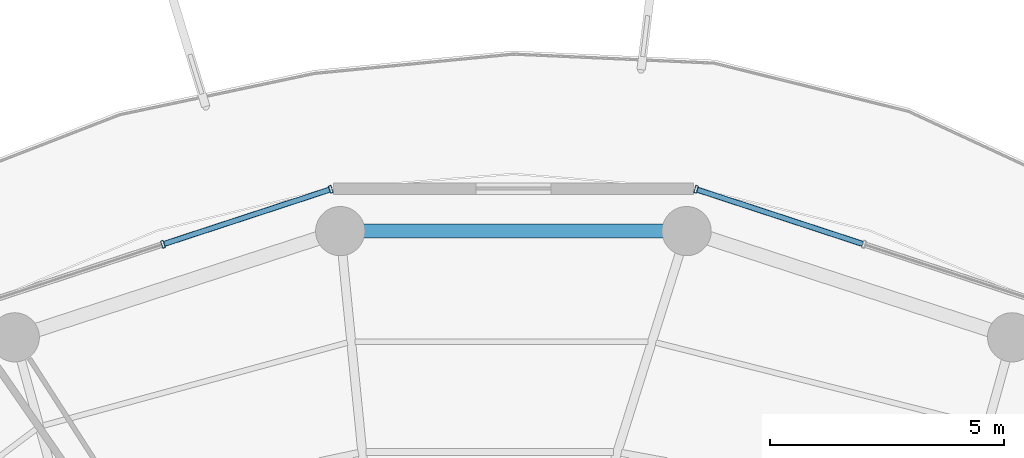
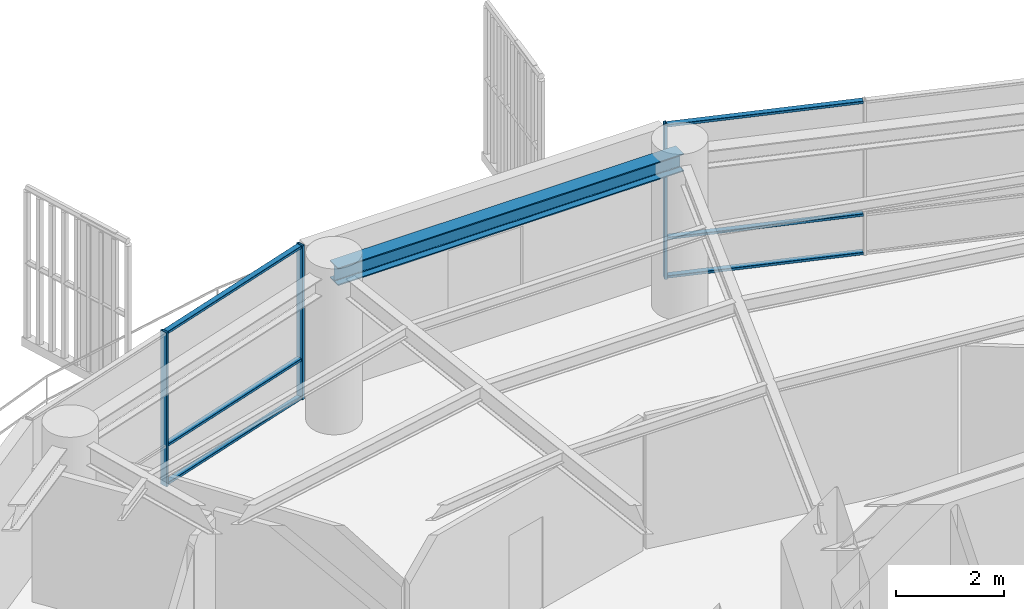
# One storey, part 19 of 30: 9 members, 1 beam, 2 elements without a shape of their own.
"""IFC4 building model written with IfcOpenShell, lengths in metres."""

from ifc_helpers import new_model, si_unit, direction, frame, origin, origin_2d, place, context, subcontext, project, spatial, hollow_rectangle, i_section, extrude, material, layer, layer_set, material_profile, profile_set, type_object, element, aggregate, save


model = new_model("IFC4")

# Units and contexts
model_context = context("Model", 3, precision=1e-05, world=origin(), true_north=direction((0.0, 1.0)))
body_context = subcontext(model_context, "Body", "Model", "MODEL_VIEW")
ifc_project = project(units=[si_unit("LENGTHUNIT", "METRE"), si_unit("AREAUNIT", "SQUARE_METRE"), si_unit("VOLUMEUNIT", "CUBIC_METRE"), si_unit("PLANEANGLEUNIT", "RADIAN"), si_unit("MASSUNIT", "GRAM", prefix="KILO")], contexts=[model_context])

# Site, building, storey
site_placement = place(None, origin())
site = spatial("IfcSite", under=ifc_project, at=site_placement, CompositionType="ELEMENT")
building_placement = place(site_placement, origin())
building = spatial("IfcBuilding", under=site, at=building_placement, Name="Kelanora Arch Commons", CompositionType="ELEMENT")
storey_placement = place(building_placement, frame((0.0, 0.0, 204.449951171875)))
storey = spatial("IfcBuildingStorey", under=building, at=storey_placement, Name="L52", CompositionType="ELEMENT", Elevation=204.449951171875)

# Beam
ifc_material_1 = material(Name="Steel S355", Category="steel")
ifc_material_profile_1 = material_profile(ifc_material_1, i_section(OverallWidth=0.300048828125, OverallDepth=0.39990234375, WebThickness=0.013427734375, FlangeThickness=0.02392578125, FilletRadius=0.027099609375, at=origin_2d()), Name="HEB400")
ifc_profile_set_1 = profile_set([ifc_material_profile_1], Name="Steel S355")
beam_type = type_object("IfcBeamType", Name="BM-SPN-Z4", PredefinedType="SPANDREL", material=ifc_profile_set_1)
beam_placement = place(storey_placement, frame((77.6953125, 76.7900390625, 3.2900390625), z_axis=(-1.0, 0.0, 0.0), x_axis=(0.0, -1.0, 0.0)))
element("IfcBeam", 1, at=beam_placement, inside=storey, type_object=beam_type, Name="Perimeter Spandrel Beam BS-08 L52", PredefinedType="SPANDREL", context=body_context, shape_type="SweptSolid", body=[
    extrude(i_section(OverallWidth=0.300048828125, OverallDepth=0.39990234375, WebThickness=0.013427734375, FlangeThickness=0.02392578125, FilletRadius=0.027099609375, at=origin_2d()), origin(), (0.0, 0.0, 1.0), 7.390625),
])

# Curtain wall, member
ifc_material_2 = material(Name="Terracotta ceramic-fritted low-E glass and aluminium", Category="masonry")
ifc_layer = layer(ifc_material_2, 0.175048828125)
ifc_layer_set = layer_set([ifc_layer], Name="Terracotta ceramic-fritted low-E glass and aluminium")
curtain_wall_type = type_object("IfcCurtainWallType", Name="CW-SYS-02", PredefinedType="NOTDEFINED", material=ifc_layer_set)
curtain_wall_1_placement = place(storey_placement, origin())
curtain_wall_1 = element("IfcCurtainWall", 2, at=curtain_wall_1_placement, inside=storey, type_object=curtain_wall_type, Name="Unitised Curtain Wall L52-B03", PredefinedType="NOTDEFINED")
ifc_material_3 = material(Name="Powder-coated aluminium terracotta", Category="masonry")
ifc_material_profile_2 = material_profile(ifc_material_3, hollow_rectangle(XDim=0.159912109375, YDim=0.06005859375, WallThickness=0.0048828125, InnerFilletRadius=0.0048828125, OuterFilletRadius=0.010009765625, at=origin_2d()), Name="CWM160x60")
ifc_profile_set_2 = profile_set([ifc_material_profile_2], Name="Powder-coated aluminium terracotta")
member_type_1 = type_object("IfcMemberType", Name="CWM-STD", PredefinedType="MULLION", material=ifc_profile_set_2)
member_1_placement = place(storey_placement, frame((77.897705078125, 77.68212890625, 0.0), z_axis=(0.0, 0.0, 1.0), x_axis=(-0.311582439059, -0.950219124029, 0.0)))
member_1 = element("IfcMember", 3, at=member_1_placement, type_object=member_type_1, Name="CW-02 mullion 3", PredefinedType="MULLION", context=body_context, shape_type="SweptSolid", body=[
    extrude(hollow_rectangle(XDim=0.159912109375, YDim=0.06005859375, WallThickness=0.0048828125, InnerFilletRadius=0.0048828125, OuterFilletRadius=0.010009765625, at=origin_2d()), origin(), (0.0, 0.0, 1.0), 3.47509765625),
])

# Curtain wall, members
curtain_wall_2_placement = place(storey_placement, origin())
curtain_wall_2 = element("IfcCurtainWall", 4, at=curtain_wall_2_placement, inside=storey, type_object=curtain_wall_type, Name="Unitised Curtain Wall L52-B05", PredefinedType="NOTDEFINED")
member_2_placement = place(storey_placement, frame((70.102294921875, 77.68212890625, 0.0), z_axis=(0.0, 0.0, 1.0), x_axis=(0.311582439059, -0.950219124029, 0.0)))
member_2 = element("IfcMember", 5, at=member_2_placement, type_object=member_type_1, Name="CW-02 mullion 1", PredefinedType="MULLION", context=body_context, shape_type="SweptSolid", body=[
    extrude(hollow_rectangle(XDim=0.159912109375, YDim=0.06005859375, WallThickness=0.0048828125, InnerFilletRadius=0.0048828125, OuterFilletRadius=0.010009765625, at=origin_2d()), origin(), (0.0, 0.0, 1.0), 3.47509765625),
])
member_3_placement = place(storey_placement, frame((66.5224609375, 76.50830078125, 0.0), z_axis=(0.0, 0.0, 1.0), x_axis=(0.311582439059, -0.950219124029, 0.0)))
member_3 = element("IfcMember", 6, at=member_3_placement, type_object=member_type_1, Name="CW-02 mullion 2", PredefinedType="MULLION", context=body_context, shape_type="SweptSolid", body=[
    extrude(hollow_rectangle(XDim=0.159912109375, YDim=0.06005859375, WallThickness=0.0048828125, InnerFilletRadius=0.0048828125, OuterFilletRadius=0.010009765625, at=origin_2d()), origin(), (0.0, 0.0, 1.0), 3.47509765625),
])

# Member
ifc_material_profile_3 = material_profile(ifc_material_3, hollow_rectangle(XDim=0.1201171875, YDim=0.06005859375, WallThickness=0.0048828125, InnerFilletRadius=0.0048828125, OuterFilletRadius=0.010009765625, at=origin_2d()), Name="CWT120x60")
ifc_profile_set_3 = profile_set([ifc_material_profile_3], Name="Powder-coated aluminium terracotta")
member_type_2 = type_object("IfcMemberType", Name="CWT-STD", PredefinedType="USERDEFINED", material=ifc_profile_set_3)
member_4_placement = place(storey_placement, frame((81.448974609375, 76.517578125, 0.030029296875), z_axis=(-0.950206527055, 0.311620852867, 0.0), x_axis=(-0.311620852867, -0.950206527055, 0.0)))
member_4 = element("IfcMember", 7, at=member_4_placement, type_object=member_type_2, Name="CW-02 transom 2.1", ObjectType="TRANSOM", PredefinedType="USERDEFINED", context=body_context, shape_type="SweptSolid", body=[
    extrude(hollow_rectangle(XDim=0.1201171875, YDim=0.06005859375, WallThickness=0.0048828125, InnerFilletRadius=0.0048828125, OuterFilletRadius=0.010009765625, at=origin_2d()), origin(), (0.0, 0.0, 1.0), 3.707275390625),
])

member_5_placement = place(storey_placement, frame((81.448974609375, 76.517578125, 0.900146484375), z_axis=(-0.950206527055, 0.311620852867, 0.0), x_axis=(-0.311620852867, -0.950206527055, 0.0)))
member_5 = element("IfcMember", 8, at=member_5_placement, type_object=member_type_2, Name="CW-02 transom 2.2", ObjectType="TRANSOM", PredefinedType="USERDEFINED", context=body_context, shape_type="SweptSolid", body=[
    extrude(hollow_rectangle(XDim=0.1201171875, YDim=0.06005859375, WallThickness=0.0048828125, InnerFilletRadius=0.0048828125, OuterFilletRadius=0.010009765625, at=origin_2d()), origin(), (0.0, 0.0, 1.0), 3.707275390625),
])

member_6_placement = place(storey_placement, frame((81.448974609375, 76.517578125, 3.445068359375), z_axis=(-0.950206527055, 0.311620852867, 0.0), x_axis=(-0.311620852867, -0.950206527055, 0.0)))
member_6 = element("IfcMember", 9, at=member_6_placement, type_object=member_type_2, Name="CW-02 transom 2.3", ObjectType="TRANSOM", PredefinedType="USERDEFINED", context=body_context, shape_type="SweptSolid", body=[
    extrude(hollow_rectangle(XDim=0.1201171875, YDim=0.06005859375, WallThickness=0.0048828125, InnerFilletRadius=0.0048828125, OuterFilletRadius=0.010009765625, at=origin_2d()), origin(), (0.0, 0.0, 1.0), 3.707275390625),
])

aggregate(curtain_wall_1, [member_1, member_4, member_5, member_6])

member_7_placement = place(storey_placement, frame((70.07373046875, 77.6728515625, 0.030029296875), z_axis=(-0.950206527055, -0.311620852867, 0.0), x_axis=(0.311620852867, -0.950206527055, 0.0)))
member_7 = element("IfcMember", 10, at=member_7_placement, type_object=member_type_2, Name="CW-02 transom 1.1", ObjectType="TRANSOM", PredefinedType="USERDEFINED", context=body_context, shape_type="SweptSolid", body=[
    extrude(hollow_rectangle(XDim=0.1201171875, YDim=0.06005859375, WallThickness=0.0048828125, InnerFilletRadius=0.0048828125, OuterFilletRadius=0.010009765625, at=origin_2d()), origin(), (0.0, 0.0, 1.0), 3.707275390625),
])

member_8_placement = place(storey_placement, frame((70.07373046875, 77.6728515625, 0.900146484375), z_axis=(-0.950206527055, -0.311620852867, 0.0), x_axis=(0.311620852867, -0.950206527055, 0.0)))
member_8 = element("IfcMember", 11, at=member_8_placement, type_object=member_type_2, Name="CW-02 transom 1.2", ObjectType="TRANSOM", PredefinedType="USERDEFINED", context=body_context, shape_type="SweptSolid", body=[
    extrude(hollow_rectangle(XDim=0.1201171875, YDim=0.06005859375, WallThickness=0.0048828125, InnerFilletRadius=0.0048828125, OuterFilletRadius=0.010009765625, at=origin_2d()), origin(), (0.0, 0.0, 1.0), 3.707275390625),
])

member_9_placement = place(storey_placement, frame((70.07373046875, 77.6728515625, 3.445068359375), z_axis=(-0.950206527055, -0.311620852867, 0.0), x_axis=(0.311620852867, -0.950206527055, 0.0)))
member_9 = element("IfcMember", 12, at=member_9_placement, type_object=member_type_2, Name="CW-02 transom 1.3", ObjectType="TRANSOM", PredefinedType="USERDEFINED", context=body_context, shape_type="SweptSolid", body=[
    extrude(hollow_rectangle(XDim=0.1201171875, YDim=0.06005859375, WallThickness=0.0048828125, InnerFilletRadius=0.0048828125, OuterFilletRadius=0.010009765625, at=origin_2d()), origin(), (0.0, 0.0, 1.0), 3.707275390625),
])

aggregate(curtain_wall_2, [member_2, member_3, member_7, member_8, member_9])

save(model, "model.ifc")
